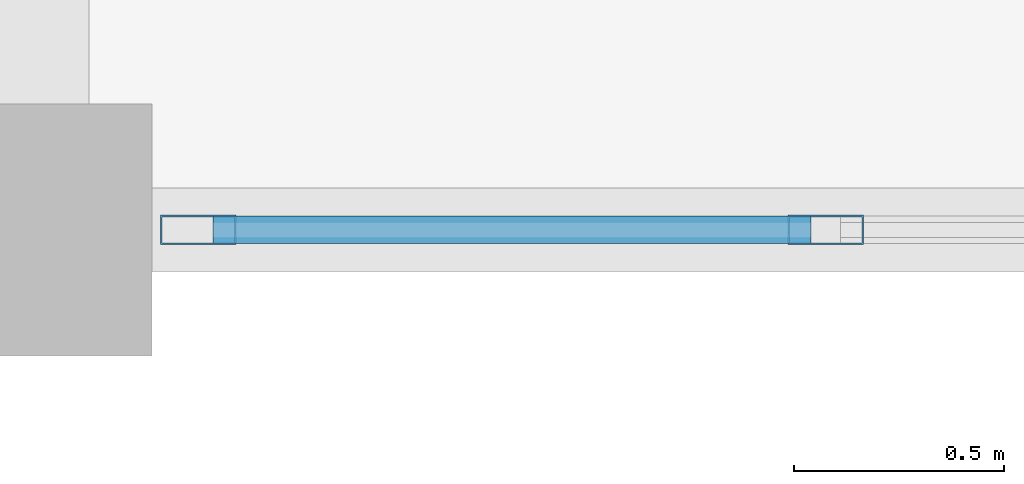
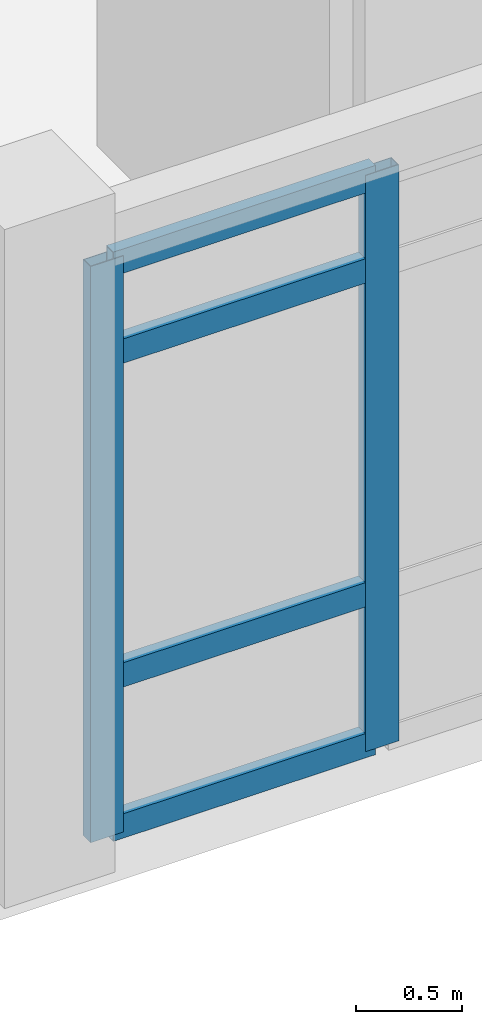
# One storey, part 25 of 86: 6 members, 1 element without a shape of its own.
"""IFC4 building model written with IfcOpenShell, lengths in metres."""

import ifcopenshell
import ifcopenshell.guid

model = None  # the IFC model being written
_history = None  # IfcOwnerHistory: only IFC2X3 demands one
_inside = {}  # id of a spatial element -> (the spatial element, [elements in it])
_under = {}  # id of a project, library or spatial element -> (it, [spatial elements below it])
_declared = {}  # id of a project -> (the project, [libraries it declares])
_typed = {}  # id of a type object -> (the type object, [elements of that type])
_made_of = {}  # id of a material, layer set ... -> (it, [elements and type objects made of it])


def new_model(schema):
    """Start an empty IFC model of exactly this schema.

    Asked for "IFC4X3", IfcOpenShell would pick the latest addendum, in which some entities
    have other attributes; the version numbers below select the first issue.
    IFC2X3 requires an IfcOwnerHistory on every rooted entity: one is made here for all.
    """
    global model, _history
    if schema == "IFC4X3":
        model = ifcopenshell.file(schema_version=(4, 3, 0, 0))
    else:
        model = ifcopenshell.file(schema=schema)
    _inside.clear()
    _under.clear()
    _declared.clear()
    _typed.clear()
    _made_of.clear()
    _history = None
    if model.schema == "IFC2X3":
        org = make("IfcOrganization", Name="unknown")
        user = make(
            "IfcPersonAndOrganization",
            ThePerson=make("IfcPerson", FamilyName="unknown"),
            TheOrganization=org,
        )
        app = make(
            "IfcApplication",
            ApplicationDeveloper=org,
            Version="unknown",
            ApplicationFullName="unknown",
            ApplicationIdentifier="unknown",
        )
        _history = make(
            "IfcOwnerHistory",
            OwningUser=user,
            OwningApplication=app,
            ChangeAction="ADDED",
            CreationDate=0,
        )
    return model


def make(cls, **values):
    """One entity of the class cls with the attributes given. An attribute that is None is left unset."""
    return model.create_entity(
        cls, **{name: value for name, value in values.items() if value is not None}
    )


def rooted(cls, **values):
    """An entity with a GlobalId (a new one), such as an element, a storey or a relation."""
    return make(cls, GlobalId=ifcopenshell.guid.new(), OwnerHistory=_history, **values)


def si_unit(unit_type, name, prefix=None):
    """IfcSIUnit, for example si_unit("LENGTHUNIT", "METRE", prefix="MILLI")."""
    return make("IfcSIUnit", UnitType=unit_type, Prefix=prefix, Name=name)


def assignment(units):
    """IfcUnitAssignment: the units of a project."""
    return None if units is None else make("IfcUnitAssignment", Units=units)


def point(xyz):
    """IfcCartesianPoint."""
    return None if xyz is None else make("IfcCartesianPoint", Coordinates=xyz)


def direction(xyz):
    """IfcDirection."""
    return None if xyz is None else make("IfcDirection", DirectionRatios=xyz)


def frame(location, z_axis=None, x_axis=None):
    """IfcAxis2Placement3D, a coordinate frame: its origin and axes. An axis left out is left unset."""
    return make(
        "IfcAxis2Placement3D",
        Location=point(location),
        Axis=direction(z_axis),
        RefDirection=direction(x_axis),
    )


def frame_2d(location, x_axis=None):
    """IfcAxis2Placement2D, a coordinate frame in the plane: its origin and x axis."""
    return make(
        "IfcAxis2Placement2D", Location=point(location), RefDirection=direction(x_axis)
    )


def origin():
    """The frame at (0, 0, 0) with its axes left unset."""
    return frame((0.0, 0.0, 0.0))


def origin_2d():
    """The frame at (0, 0) in the plane with its x axis left unset."""
    return frame_2d((0.0, 0.0))


def place(relative_to, where):
    """IfcLocalPlacement: puts the frame where relative to a parent placement (None: the world)."""
    return make(
        "IfcLocalPlacement", PlacementRelTo=relative_to, RelativePlacement=where
    )


def context(
    kind, dimensions, precision=None, world=None, true_north=None, identifier=None
):
    """IfcGeometricRepresentationContext, for example the 3D "Model" context."""
    return make(
        "IfcGeometricRepresentationContext",
        ContextIdentifier=identifier,
        ContextType=kind,
        CoordinateSpaceDimension=dimensions,
        Precision=precision,
        WorldCoordinateSystem=world,
        TrueNorth=true_north,
    )


def subcontext(parent, identifier, kind, view, scale=None):
    """IfcGeometricRepresentationSubContext, for example "Body" below "Model"."""
    return make(
        "IfcGeometricRepresentationSubContext",
        ContextIdentifier=identifier,
        ContextType=kind,
        ParentContext=parent,
        TargetScale=scale,
        TargetView=view,
    )


def project(units=None, contexts=None):
    """IfcProject with its units and contexts."""
    return rooted(
        "IfcProject",
        Name="project",
        RepresentationContexts=contexts,
        UnitsInContext=assignment(units),
    )


def spatial(cls, under=None, at=None, **own):
    """A site, building, storey or space (cls), placed at a placement, below another one or the project."""
    s = rooted(cls, ObjectPlacement=at, **own)
    if under is not None:
        _under.setdefault(under.id(), (under, []))[1].append(s)
    return s


def profile(cls, at=None, kind="AREA", **sizes):
    """A parametric profile (cls). Its sizes go by their IFC names, for example OverallWidth=200.0."""
    return make(cls, ProfileType=kind, Position=at, **sizes)


def hollow_rectangle(**sizes):
    """IfcRectangleHollowProfileDef."""
    return profile("IfcRectangleHollowProfileDef", **sizes)


def extrude(swept, where, along, depth):
    """IfcExtrudedAreaSolid: the profile swept, set in the frame where, extruded along a direction by depth."""
    return make(
        "IfcExtrudedAreaSolid",
        SweptArea=swept,
        Position=where,
        ExtrudedDirection=direction(along),
        Depth=depth,
    )


def shape(context_of_items, identifier, shape_type, items):
    """IfcShapeRepresentation: the items that make up one representation, for example the "Body"."""
    return make(
        "IfcShapeRepresentation",
        ContextOfItems=context_of_items,
        RepresentationIdentifier=identifier,
        RepresentationType=shape_type,
        Items=items,
    )


def material(Name=None, Category=None):
    """IfcMaterial."""
    return make("IfcMaterial", Name=Name, Category=Category)


def layer(
    of_material, thickness, ventilated=None, Name=None, Category=None, Priority=None
):
    """IfcMaterialLayer: one layer of a wall or slab, of a material (None: an air gap)."""
    return make(
        "IfcMaterialLayer",
        Material=of_material,
        LayerThickness=thickness,
        IsVentilated=ventilated,
        Name=Name,
        Category=Category,
        Priority=Priority,
    )


def layer_set(layers, Name=None):
    """IfcMaterialLayerSet."""
    return make("IfcMaterialLayerSet", MaterialLayers=layers, LayerSetName=Name)


def material_profile(
    of_material, cross_section, Name=None, Category=None, Priority=None
):
    """IfcMaterialProfile: a cross section and its material."""
    return make(
        "IfcMaterialProfile",
        Name=Name,
        Material=of_material,
        Profile=cross_section,
        Priority=Priority,
        Category=Category,
    )


def profile_set(profiles, Name=None, composite=None):
    """IfcMaterialProfileSet."""
    return make(
        "IfcMaterialProfileSet",
        Name=Name,
        MaterialProfiles=profiles,
        CompositeProfile=composite,
    )


def made_of(thing, what):
    """Note that an element or type object is made of a material, layer set ...; save() writes the relation."""
    if what is not None:
        _made_of.setdefault(what.id(), (what, []))[1].append(thing)
    return thing


def type_object(cls, material=None, **own):
    """A type object (cls), such as IfcWallType, which elements share."""
    return made_of(rooted(cls, **own), material)


def element(
    cls,
    number,
    at=None,
    inside=None,
    cuts=None,
    type_object=None,
    material=None,
    context=None,
    identifier="Body",
    shape_type=None,
    held_by="IfcProductDefinitionShape",
    body=None,
    shapes=None,
    **own,
):
    """One element of the class cls, such as IfcWall. Its Tag is "e" and its number.

    at: its placement. inside: the storey or other place that contains it. cuts: it is an
    opening in that element (IfcRelVoidsElement). A single representation is given by context,
    identifier, shape_type and body (its items); several are given by shapes. held_by: the class
    of the entity that holds the representations. save() writes the other relations.
    """
    e = rooted(cls, Tag="e%d" % number, ObjectPlacement=at, **own)
    if body is not None:
        shapes = [shape(context, identifier, shape_type, body)]
    if shapes is not None:
        e.Representation = make(held_by, Representations=shapes)
    if inside is not None:
        _inside.setdefault(inside.id(), (inside, []))[1].append(e)
    if cuts is not None:
        rooted(
            "IfcRelVoidsElement", RelatingBuildingElement=cuts, RelatedOpeningElement=e
        )
    if type_object is not None:
        _typed.setdefault(type_object.id(), (type_object, []))[1].append(e)
    return made_of(e, material)


def aggregate(whole, parts):
    """IfcRelAggregates: a whole, such as a stair, and the parts it consists of."""
    return rooted("IfcRelAggregates", RelatingObject=whole, RelatedObjects=parts)


def save(model, path):
    """Write the relations noted so far, then the file.

    IfcRelAggregates (storeys below a building ...), IfcRelContainedInSpatialStructure (elements
    in a storey), IfcRelDefinesByType, IfcRelAssociatesMaterial and IfcRelDeclares: one each for
    every whole, place, type object, material and project.
    """
    for whole, parts in _under.values():
        aggregate(whole, parts)
    for where, things in _inside.values():
        rooted(
            "IfcRelContainedInSpatialStructure",
            RelatedElements=things,
            RelatingStructure=where,
        )
    for kind, things in _typed.values():
        rooted("IfcRelDefinesByType", RelatedObjects=things, RelatingType=kind)
    for what, things in _made_of.values():
        rooted("IfcRelAssociatesMaterial", RelatedObjects=things, RelatingMaterial=what)
    for by, libraries in _declared.values():
        rooted("IfcRelDeclares", RelatingContext=by, RelatedDefinitions=libraries)
    model.write(path)


model = new_model("IFC4")

# Units and contexts
model_context = context("Model", 3, precision=1e-05, world=origin(), true_north=direction((0.0, 1.0)))
body_context = subcontext(model_context, "Body", "Model", "MODEL_VIEW")
ifc_project = project(units=[si_unit("LENGTHUNIT", "METRE"), si_unit("AREAUNIT", "SQUARE_METRE"), si_unit("VOLUMEUNIT", "CUBIC_METRE"), si_unit("PLANEANGLEUNIT", "RADIAN"), si_unit("MASSUNIT", "GRAM", prefix="KILO")], contexts=[model_context])

# Site, building, storey
site_placement = place(None, origin())
site = spatial("IfcSite", under=ifc_project, at=site_placement, CompositionType="ELEMENT")
building_placement = place(site_placement, origin())
building = spatial("IfcBuilding", under=site, at=building_placement, Name="Bramfleet General Hospital", CompositionType="ELEMENT")
storey_placement = place(building_placement, frame((0.0, 0.0, 18.60009765625)))
storey = spatial("IfcBuildingStorey", under=building, at=storey_placement, Name="L04", CompositionType="ELEMENT", Elevation=18.60009765625)

# Curtain wall, members
ifc_material_1 = material(Name="Anodised aluminium and low-E triple glazing", Category="aluminium")
ifc_layer = layer(ifc_material_1, 0.179931640625, Name="CWT-CW-11")
ifc_layer_set = layer_set([ifc_layer], Name="Anodised aluminium and low-E triple glazing")
curtain_wall_type = type_object("IfcCurtainWallType", Name="CWT-CW-11", PredefinedType="USERDEFINED", material=ifc_layer_set)
curtain_wall_placement = place(storey_placement, origin())
curtain_wall = element("IfcCurtainWall", 1, at=curtain_wall_placement, inside=storey, type_object=curtain_wall_type, Name="L04 Curtain Wall 191", ObjectType="Stick curtain wall", PredefinedType="USERDEFINED")
ifc_material_2 = material(Name="Anodised aluminium EN AW-6060", Category="aluminium")
ifc_material_profile_1 = material_profile(ifc_material_2, hollow_rectangle(XDim=0.070068359375, YDim=0.179931640625, WallThickness=0.00390625, at=origin_2d()), Name="ALU 180x70x4.0")
ifc_profile_set_1 = profile_set([ifc_material_profile_1], Name="Anodised aluminium EN AW-6060")
member_type_1 = type_object("IfcMemberType", Name="CWM-ALU180", PredefinedType="MULLION", material=ifc_profile_set_1)
member_1_placement = place(storey_placement, frame((136.304931640625, 92.39990234375, 0.0), z_axis=(0.0, 0.0, 1.0), x_axis=(0.0, -1.0, 0.0)))
member_1 = element("IfcMember", 2, at=member_1_placement, type_object=member_type_1, Name="CW-11 mullion 5", PredefinedType="MULLION", context=body_context, shape_type="SweptSolid", body=[
    extrude(hollow_rectangle(XDim=0.070068359375, YDim=0.179931640625, WallThickness=0.00390625, at=origin_2d()), origin(), (0.0, 0.0, 1.0), 3.309814453125),
])
member_2_placement = place(storey_placement, frame((134.81005859375, 92.39990234375, 0.0), z_axis=(0.0, 0.0, 1.0), x_axis=(0.0, -1.0, 0.0)))
member_2 = element("IfcMember", 3, at=member_2_placement, type_object=member_type_1, Name="CW-11 mullion 6", PredefinedType="MULLION", context=body_context, shape_type="SweptSolid", body=[
    extrude(hollow_rectangle(XDim=0.070068359375, YDim=0.179931640625, WallThickness=0.00390625, at=origin_2d()), origin(), (0.0, 0.0, 1.0), 3.309814453125),
])
ifc_material_profile_2 = material_profile(ifc_material_2, hollow_rectangle(XDim=0.06494140625, YDim=0.139892578125, WallThickness=0.00390625, at=origin_2d()), Name="ALU 140x65x4.0")
ifc_profile_set_2 = profile_set([ifc_material_profile_2], Name="Anodised aluminium EN AW-6060")
member_type_2 = type_object("IfcMemberType", Name="CWT-ALU140", PredefinedType="USERDEFINED", material=ifc_profile_set_2)
member_3_placement = place(storey_placement, frame((136.27001953125, 92.39990234375, 0.032470703125), z_axis=(-1.0, 0.0, 0.0), x_axis=(0.0, -1.0, 0.0)))
member_3 = element("IfcMember", 4, at=member_3_placement, type_object=member_type_2, Name="CW-11 transom 5.1", ObjectType="TRANSOM", PredefinedType="USERDEFINED", context=body_context, shape_type="SweptSolid", body=[
    extrude(hollow_rectangle(XDim=0.06494140625, YDim=0.139892578125, WallThickness=0.00390625, at=origin_2d()), origin(), (0.0, 0.0, 1.0), 1.425048828125),
])
member_4_placement = place(storey_placement, frame((136.27001953125, 92.39990234375, 0.89990234375), z_axis=(-1.0, 0.0, 0.0), x_axis=(0.0, -1.0, 0.0)))
member_4 = element("IfcMember", 5, at=member_4_placement, type_object=member_type_2, Name="CW-11 transom 5.2", ObjectType="TRANSOM", PredefinedType="USERDEFINED", context=body_context, shape_type="SweptSolid", body=[
    extrude(hollow_rectangle(XDim=0.06494140625, YDim=0.139892578125, WallThickness=0.00390625, at=origin_2d()), origin(), (0.0, 0.0, 1.0), 1.425048828125),
])
member_5_placement = place(storey_placement, frame((136.27001953125, 92.39990234375, 2.760009765625), z_axis=(-1.0, 0.0, 0.0), x_axis=(0.0, -1.0, 0.0)))
member_5 = element("IfcMember", 6, at=member_5_placement, type_object=member_type_2, Name="CW-11 transom 5.3", ObjectType="TRANSOM", PredefinedType="USERDEFINED", context=body_context, shape_type="SweptSolid", body=[
    extrude(hollow_rectangle(XDim=0.06494140625, YDim=0.139892578125, WallThickness=0.00390625, at=origin_2d()), origin(), (0.0, 0.0, 1.0), 1.425048828125),
])
member_6_placement = place(storey_placement, frame((136.27001953125, 92.39990234375, 3.27734375), z_axis=(-1.0, 0.0, 0.0), x_axis=(0.0, -1.0, 0.0)))
member_6 = element("IfcMember", 7, at=member_6_placement, type_object=member_type_2, Name="CW-11 transom 5.4", ObjectType="TRANSOM", PredefinedType="USERDEFINED", context=body_context, shape_type="SweptSolid", body=[
    extrude(hollow_rectangle(XDim=0.06494140625, YDim=0.139892578125, WallThickness=0.00390625, at=origin_2d()), origin(), (0.0, 0.0, 1.0), 1.425048828125),
])
aggregate(curtain_wall, [member_1, member_2, member_3, member_4, member_5, member_6])

save(model, "model.ifc")
